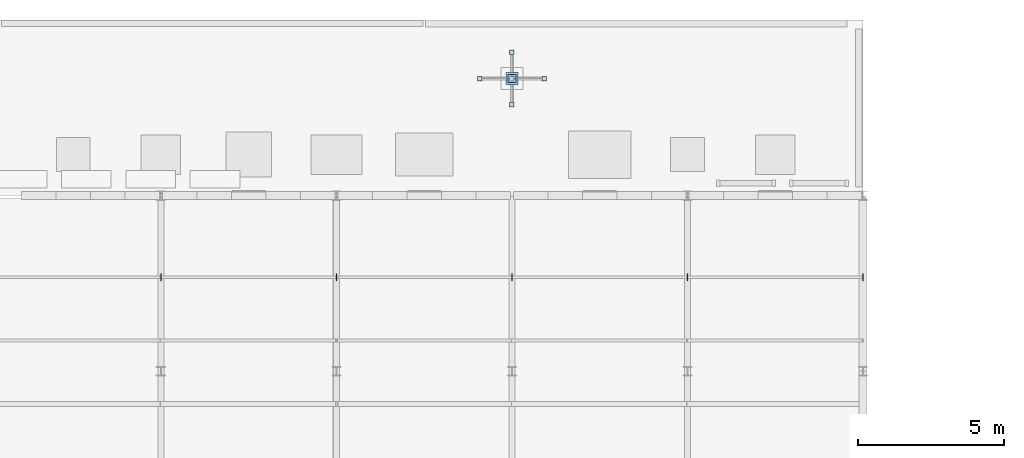
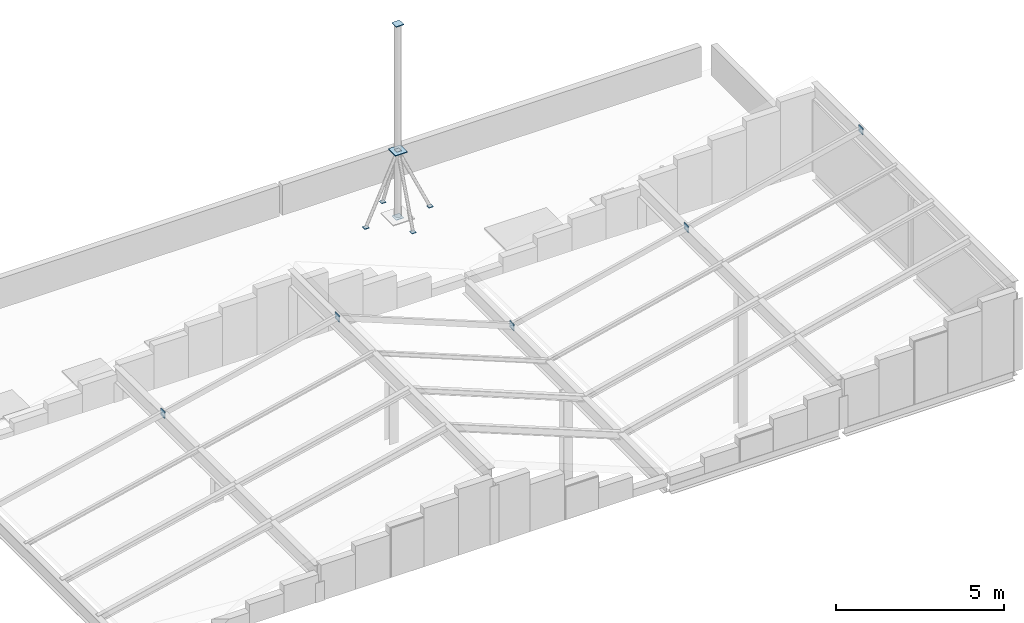
# One storey, part 61 of 74: 13 plates.
"""IFC4 building model written with IfcOpenShell, lengths in metres."""

from ifc_helpers import new_model, si_unit, direction, frame, origin, origin_2d, place, context, subcontext, project, spatial, rectangle, extrude, material, layer, layer_set, type_object, element, save


model = new_model("IFC4")

# Units and contexts
model_context = context("Model", 3, precision=1e-05, world=origin(), true_north=direction((0.0, 1.0)))
body_context = subcontext(model_context, "Body", "Model", "MODEL_VIEW")
ifc_project = project(units=[si_unit("LENGTHUNIT", "METRE"), si_unit("AREAUNIT", "SQUARE_METRE"), si_unit("VOLUMEUNIT", "CUBIC_METRE"), si_unit("PLANEANGLEUNIT", "RADIAN"), si_unit("MASSUNIT", "GRAM", prefix="KILO")], contexts=[model_context])

# Site, building, storey
site_placement = place(None, origin())
site = spatial("IfcSite", under=ifc_project, at=site_placement, CompositionType="ELEMENT")
building_placement = place(site_placement, origin())
building = spatial("IfcBuilding", under=site, at=building_placement, Name="Siltcreek Boulevard Central Fire Station", CompositionType="ELEMENT")
storey_placement = place(building_placement, frame((0.0, 0.0, 25.199951171875)))
storey = spatial("IfcBuildingStorey", under=building, at=storey_placement, Name="RF", CompositionType="ELEMENT", Elevation=25.199951171875)

# Plates
ifc_material = material(Name="Structural steel ASTM A572 Gr50", Category="steel")
ifc_layer_1 = layer(ifc_material, 0.02490234375, Name="Structural steel ASTM A572 Gr50")
ifc_layer_set_1 = layer_set([ifc_layer_1], Name="Structural steel ASTM A572 Gr50")
plate_type_1 = type_object("IfcPlateType", Name="PL_CAP25", PredefinedType="USERDEFINED", material=ifc_layer_set_1)
for number, where, z_axis, x_axis, name in (
    (1, (130.2001953125, 103.406005859375, -2.54345703125), (0.0, 0.0, 1.0), (1.0, 0.0, 0.0), "Sloped roof purlin PR-0271 sealed end cap 2"),
    (2, (136.2001953125, 103.406005859375, -1.14306640625), (0.0, 0.0, 1.0), (1.0, 0.0, 0.0), "Sloped roof purlin PR-0275 sealed end cap 2"),
    (3, (142.19970703125, 103.406005859375, -3.56103515625), (0.0, 0.0, 1.0), (1.0, 0.0, 0.0), "Sloped roof purlin PR-0279 sealed end cap 2"),
    (4, (148.2001953125, 103.406005859375, -2.09375), (0.0, 0.0, 1.0), (1.0, 0.0, 0.0), "Sloped roof purlin PR-0283 sealed end cap 2"),
    (5, (154.2001953125, 103.406005859375, -0.64404296875), (0.0, 0.0, 1.0), (1.0, 0.0, 0.0), "Sloped roof purlin PR-0287 sealed end cap 2"),
):
    element("IfcPlate", number, at=place(storey_placement, frame(where, z_axis=z_axis, x_axis=x_axis)), inside=storey, type_object=plate_type_1, Name=name, ObjectType="END CAP", PredefinedType="USERDEFINED", context=body_context, shape_type="SweptSolid", body=[
        extrude(rectangle(XDim=0.02490234375, YDim=0.239990234375, at=origin_2d()), origin(), (0.0, 0.0, 1.0), 0.239990234375),
    ])
for number, where, z_axis, x_axis, name in (
    (6, (142.199951171875, 110.199951171875, -3.622802734375), (0.0, 0.0, 1.0), (1.0, 0.0, 0.0), "Emergency radio communications mast MB1 shaft sealed end cap 1"),
    (7, (142.199951171875, 110.199951171875, 3.398193359375), (0.0, 0.0, 1.0), (1.0, 0.0, 0.0), "Emergency radio communications mast MB1 shaft sealed end cap 2"),
):
    element("IfcPlate", number, at=place(storey_placement, frame(where, z_axis=z_axis, x_axis=x_axis)), inside=storey, type_object=plate_type_1, Name=name, ObjectType="END CAP", PredefinedType="USERDEFINED", context=body_context, shape_type="SweptSolid", body=[
        extrude(rectangle(XDim=0.259033203125, YDim=0.259033203125, at=origin_2d()), origin(), (0.0, 0.0, 1.0), 0.02490234375),
    ])
for number, where, z_axis, x_axis, name in (
    (8, (143.304443359375, 110.199951171875, -3.621826171875), (0.0, 0.0, 1.0), (1.0, 0.0, 0.0), "Communications mast MB1 base diagonal strut 1 sealed end cap 1"),
    (9, (142.195556640625, 110.199951171875, -1.202880859375), (0.0, 0.0, 1.0), (1.0, 0.0, 0.0), "Communications mast MB1 base diagonal strut 1 sealed end cap 2"),
    (10, (141.095703125, 110.199951171875, -3.621826171875), (0.0, 0.0, 1.0), (1.0, 0.0, 0.0), "Communications mast MB1 base diagonal strut 2 sealed end cap 1"),
    (11, (142.199951171875, 111.103759765625, -3.622314453125), (0.0, 0.0, 1.0), (1.0, 0.0, 0.0), "Communications mast MB1 base diagonal strut 3 sealed end cap 1"),
    (12, (142.199951171875, 109.29638671875, -3.622314453125), (0.0, 0.0, 1.0), (1.0, 0.0, 0.0), "Communications mast MB1 base diagonal strut 4 sealed end cap 1"),
):
    element("IfcPlate", number, at=place(storey_placement, frame(where, z_axis=z_axis, x_axis=x_axis)), inside=storey, type_object=plate_type_1, Name=name, ObjectType="END CAP", PredefinedType="USERDEFINED", context=body_context, shape_type="SweptSolid", body=[
        extrude(rectangle(XDim=0.154296875, YDim=0.154296875, at=origin_2d()), origin(), (0.0, 0.0, 1.0), 0.02490234375),
    ])
ifc_layer_2 = layer(ifc_material, 0.028076171875, Name="Structural steel ASTM A572 Gr50")
ifc_layer_set_2 = layer_set([ifc_layer_2], Name="Structural steel ASTM A572 Gr50")
plate_type_2 = type_object("IfcPlateType", Name="PL_GUS28", PredefinedType="USERDEFINED", material=ifc_layer_set_2)
plate_placement = place(storey_placement, frame((142.199951171875, 110.199951171875, -1.2138671875), z_axis=(0.0, 0.0, 1.0), x_axis=(1.0, 0.0, 0.0)))
element("IfcPlate", 13, at=plate_placement, inside=storey, type_object=plate_type_2, Name="Roof communications mast MB1 strut collar plate", ObjectType="GUSSET PLATE", PredefinedType="USERDEFINED", context=body_context, shape_type="SweptSolid", body=[
    extrude(rectangle(XDim=0.419921875, YDim=0.419921875, at=origin_2d()), origin(), (0.0, 0.0, 1.0), 0.028076171875),
])

save(model, "model.ifc")
